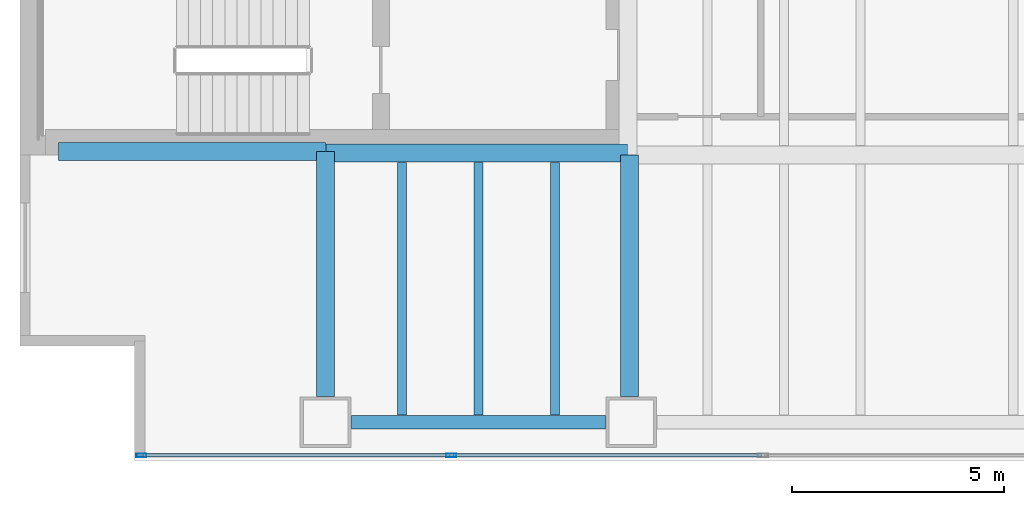
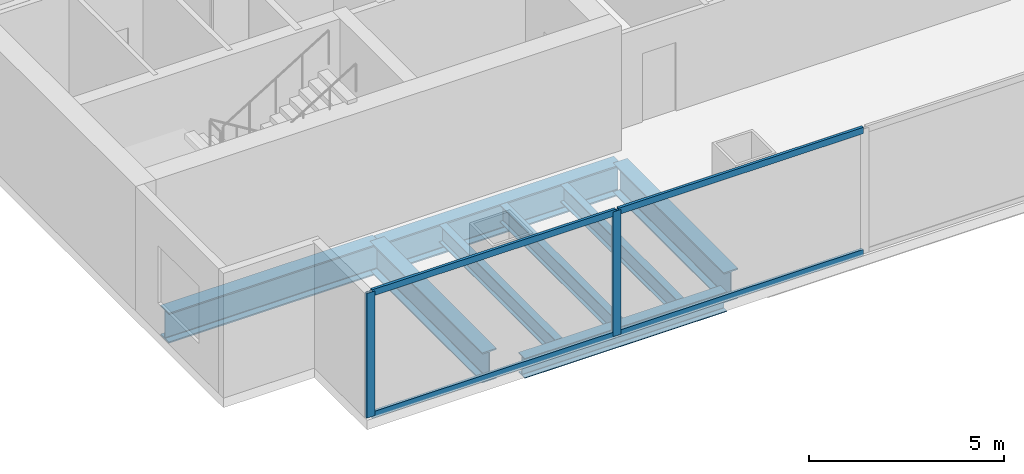
# One storey, part 2 of 29: 8 beams, 6 members, 1 element without a shape of its own.
"""IFC4 building model written with IfcOpenShell, lengths in metres."""

from ifc_helpers import new_model, si_unit, direction, frame, origin, origin_2d, place, context, subcontext, project, spatial, hollow_rectangle, i_section, extrude, material, material_profile, profile_set, type_object, element, aggregate, save


model = new_model("IFC4")

# Units and contexts
model_context = context("Model", 3, precision=1e-05, world=origin(), true_north=direction((0.0, 1.0)))
body_context = subcontext(model_context, "Body", "Model", "MODEL_VIEW")
ifc_project = project(units=[si_unit("LENGTHUNIT", "METRE"), si_unit("AREAUNIT", "SQUARE_METRE"), si_unit("VOLUMEUNIT", "CUBIC_METRE"), si_unit("PLANEANGLEUNIT", "RADIAN"), si_unit("MASSUNIT", "GRAM", prefix="KILO")], contexts=[model_context])

# Site, building, storey
site_placement = place(None, origin())
site = spatial("IfcSite", under=ifc_project, at=site_placement, CompositionType="ELEMENT")
building_placement = place(site_placement, origin())
building = spatial("IfcBuilding", under=site, at=building_placement, Name="Cobrela Telecom Tower", CompositionType="ELEMENT")
storey_placement = place(building_placement, frame((0.0, 0.0, 13.64990234375)))
storey = spatial("IfcBuildingStorey", under=building, at=storey_placement, Name="L03", CompositionType="ELEMENT", Elevation=13.64990234375)

# Beams
ifc_material_1 = material(Name="Steel ASTM A992 Grade 50", Category="steel")
ifc_material_profile_1 = material_profile(ifc_material_1, i_section(OverallWidth=0.424072265625, OverallDepth=0.947021484375, WebThickness=0.02392578125, FlangeThickness=0.042724609375, FilletRadius=0.02392578125, at=origin_2d()), Name="W36X302")
ifc_profile_set_1 = profile_set([ifc_material_profile_1], Name="Steel ASTM A992 Grade 50")
beam_type_1 = type_object("IfcBeamType", Name="BM-GIRD-01", PredefinedType="USERDEFINED", material=ifc_profile_set_1)
beam_1_placement = place(storey_placement, frame((0.905029296875, 7.280029296875, -0.7734375), z_axis=(1.0, 0.0, 0.0), x_axis=(0.0, 1.0, 0.0)))
element("IfcBeam", 1, at=beam_1_placement, inside=storey, type_object=beam_type_1, Name="L03 Primary Girder X10", ObjectType="GIRDER", PredefinedType="USERDEFINED", context=body_context, shape_type="SweptSolid", body=[
    extrude(i_section(OverallWidth=0.424072265625, OverallDepth=0.947021484375, WebThickness=0.02392578125, FlangeThickness=0.042724609375, FilletRadius=0.02392578125, at=origin_2d()), origin(), (0.0, 0.0, 1.0), 6.2900390625),
])
beam_2_placement = place(storey_placement, frame((7.205078125, 7.239990234375, -0.7734375), z_axis=(1.0, 0.0, 0.0), x_axis=(0.0, 1.0, 0.0)))
element("IfcBeam", 2, at=beam_2_placement, inside=storey, type_object=beam_type_1, Name="L03 Primary Girder X11", ObjectType="GIRDER", PredefinedType="USERDEFINED", context=body_context, shape_type="SweptSolid", body=[
    extrude(i_section(OverallWidth=0.424072265625, OverallDepth=0.947021484375, WebThickness=0.02392578125, FlangeThickness=0.042724609375, FilletRadius=0.02392578125, at=origin_2d()), origin(), (0.0, 0.0, 1.0), 7.10986328125),
])
beam_3_placement = place(storey_placement, frame((7.199951171875, 1.5048828125, -0.7734375), z_axis=(0.0, 1.0, 0.0), x_axis=(-1.0, 0.0, 0.0)))
element("IfcBeam", 3, at=beam_3_placement, inside=storey, type_object=beam_type_1, Name="L03 Primary Girder Y57", ObjectType="GIRDER", PredefinedType="USERDEFINED", context=body_context, shape_type="SweptSolid", body=[
    extrude(i_section(OverallWidth=0.424072265625, OverallDepth=0.947021484375, WebThickness=0.02392578125, FlangeThickness=0.042724609375, FilletRadius=0.02392578125, at=origin_2d()), origin(), (0.0, 0.0, 1.0), 5.77001953125),
])
beam_4_placement = place(storey_placement, frame((14.360107421875, 1.5048828125, -0.7734375), z_axis=(0.0, 1.0, 0.0), x_axis=(-1.0, 0.0, 0.0)))
element("IfcBeam", 4, at=beam_4_placement, inside=storey, type_object=beam_type_1, Name="L03 Primary Girder Y60", ObjectType="GIRDER", PredefinedType="USERDEFINED", context=body_context, shape_type="SweptSolid", body=[
    extrude(i_section(OverallWidth=0.424072265625, OverallDepth=0.947021484375, WebThickness=0.02392578125, FlangeThickness=0.042724609375, FilletRadius=0.02392578125, at=origin_2d()), origin(), (0.0, 0.0, 1.0), 5.690185546875),
])
ifc_material_profile_2 = material_profile(ifc_material_1, i_section(OverallWidth=0.212890625, OverallDepth=0.549072265625, WebThickness=0.0146484375, FlangeThickness=0.023681640625, FilletRadius=0.013916015625, at=origin_2d()), Name="W21X93")
ifc_profile_set_2 = profile_set([ifc_material_profile_2], Name="Steel ASTM A992 Grade 50")
beam_type_2 = type_object("IfcBeamType", Name="BM-JOIST-01", PredefinedType="JOIST", material=ifc_profile_set_2)
for number, where, z_axis, x_axis, name in (
    (5, (9.0, 1.069091796875, -0.574462890625), (0.0, 1.0, 0.0), (-1.0, 0.0, 0.0), "L03 Secondary Composite Floor Beam J04"),
    (6, (10.800048828125, 1.069091796875, -0.574462890625), (0.0, 1.0, 0.0), (-1.0, 0.0, 0.0), "L03 Secondary Composite Floor Beam J07"),
    (7, (12.60009765625, 1.069091796875, -0.574462890625), (0.0, 1.0, 0.0), (-1.0, 0.0, 0.0), "L03 Secondary Composite Floor Beam J10"),
):
    element("IfcBeam", number, at=place(storey_placement, frame(where, z_axis=z_axis, x_axis=x_axis)), inside=storey, type_object=beam_type_2, Name=name, PredefinedType="JOIST", context=body_context, shape_type="SweptSolid", body=[
        extrude(i_section(OverallWidth=0.212890625, OverallDepth=0.549072265625, WebThickness=0.0146484375, FlangeThickness=0.023681640625, FilletRadius=0.013916015625, at=origin_2d()), origin(), (0.0, 0.0, 1.0), 5.953857421875),
    ])
ifc_material_profile_3 = material_profile(ifc_material_1, i_section(OverallWidth=0.327880859375, OverallDepth=0.6220703125, WebThickness=0.015380859375, FlangeThickness=0.0244140625, FilletRadius=0.014892578125, at=origin_2d()), Name="W24X131")
ifc_profile_set_3 = profile_set([ifc_material_profile_3], Name="Steel ASTM A992 Grade 50")
beam_type_3 = type_object("IfcBeamType", Name="BM-SPAND-01", PredefinedType="SPANDREL", material=ifc_profile_set_3)
beam_5_placement = place(storey_placement, frame((7.804931640625, 0.89990234375, -0.61083984375), z_axis=(1.0, 0.0, 0.0), x_axis=(0.0, 1.0, 0.0)))
element("IfcBeam", 8, at=beam_5_placement, inside=storey, type_object=beam_type_3, Name="L03 Perimeter Spandrel X01", PredefinedType="SPANDREL", context=body_context, shape_type="SweptSolid", body=[
    extrude(i_section(OverallWidth=0.327880859375, OverallDepth=0.6220703125, WebThickness=0.015380859375, FlangeThickness=0.0244140625, FilletRadius=0.014892578125, at=origin_2d()), origin(), (0.0, 0.0, 1.0), 5.989990234375),
])

# Curtain wall, members
ifc_material_2 = material(Name="Anodized Bronze Aluminium 6063-T6", Category="aluminium")
curtain_wall_type = type_object("IfcCurtainWallType", Name="CW-SYS-CONC", PredefinedType="USERDEFINED", material=ifc_material_2)
curtain_wall_placement = place(storey_placement, origin())
curtain_wall = element("IfcCurtainWall", 9, at=curtain_wall_placement, inside=storey, type_object=curtain_wall_type, Name="L03 Unitised Bronze Curtain Wall 17", ObjectType="UNITISED CURTAIN WALL", PredefinedType="USERDEFINED")
ifc_material_profile_4 = material_profile(ifc_material_2, hollow_rectangle(XDim=0.080078125, YDim=0.239990234375, WallThickness=0.0048828125, at=origin_2d()), Name="ALU 80x240x5")
ifc_profile_set_4 = profile_set([ifc_material_profile_4], Name="Anodized Bronze Aluminium 6063-T6")
member_type_1 = type_object("IfcMemberType", Name="CW-SYS-CONC-MUL", PredefinedType="MULLION", material=ifc_profile_set_4)
member_1_placement = place(storey_placement, frame((10.161865234375, 0.1201171875, 0.0), z_axis=(0.0, 0.0, 1.0), x_axis=(0.0, -1.0, 0.0)))
member_1 = element("IfcMember", 10, at=member_1_placement, type_object=member_type_1, Name="CW-CONC mullion 11", PredefinedType="MULLION", context=body_context, shape_type="SweptSolid", body=[
    extrude(hollow_rectangle(XDim=0.080078125, YDim=0.239990234375, WallThickness=0.0048828125, at=origin_2d()), origin(), (0.0, 0.0, 1.0), 3.91015625),
])
member_2_placement = place(storey_placement, frame((2.860107421875, 0.1201171875, 0.0), z_axis=(0.0, 0.0, 1.0), x_axis=(0.0, -1.0, 0.0)))
member_2 = element("IfcMember", 11, at=member_2_placement, type_object=member_type_1, Name="CW-CONC mullion 12", PredefinedType="MULLION", context=body_context, shape_type="SweptSolid", body=[
    extrude(hollow_rectangle(XDim=0.080078125, YDim=0.239990234375, WallThickness=0.0048828125, at=origin_2d()), origin(), (0.0, 0.0, 1.0), 3.91015625),
])
ifc_material_profile_5 = material_profile(ifc_material_2, hollow_rectangle(XDim=0.080078125, YDim=0.199951171875, WallThickness=0.00390625, at=origin_2d()), Name="ALU 80x200x4")
ifc_profile_set_5 = profile_set([ifc_material_profile_5], Name="Anodized Bronze Aluminium 6063-T6")
member_type_2 = type_object("IfcMemberType", Name="CW-SYS-CONC-TRN", PredefinedType="USERDEFINED", material=ifc_profile_set_5)
member_3_placement = place(storey_placement, frame((17.463623046875, 0.1201171875, 0.0400390625), z_axis=(-1.0, 0.0, 0.0), x_axis=(0.0, -1.0, 0.0)))
member_3 = element("IfcMember", 12, at=member_3_placement, type_object=member_type_2, Name="CW-CONC transom 10.1", ObjectType="TRANSOM", PredefinedType="USERDEFINED", context=body_context, shape_type="SweptSolid", body=[
    extrude(hollow_rectangle(XDim=0.080078125, YDim=0.199951171875, WallThickness=0.00390625, at=origin_2d()), origin(), (0.0, 0.0, 1.0), 7.26171875),
])
member_4_placement = place(storey_placement, frame((17.463623046875, 0.1201171875, 3.8701171875), z_axis=(-1.0, 0.0, 0.0), x_axis=(0.0, -1.0, 0.0)))
member_4 = element("IfcMember", 13, at=member_4_placement, type_object=member_type_2, Name="CW-CONC transom 10.2", ObjectType="TRANSOM", PredefinedType="USERDEFINED", context=body_context, shape_type="SweptSolid", body=[
    extrude(hollow_rectangle(XDim=0.080078125, YDim=0.199951171875, WallThickness=0.00390625, at=origin_2d()), origin(), (0.0, 0.0, 1.0), 7.26171875),
])
member_5_placement = place(storey_placement, frame((10.121826171875, 0.1201171875, 0.0400390625), z_axis=(-1.0, 0.0, 0.0), x_axis=(0.0, -1.0, 0.0)))
member_5 = element("IfcMember", 14, at=member_5_placement, type_object=member_type_2, Name="CW-CONC transom 11.1", ObjectType="TRANSOM", PredefinedType="USERDEFINED", context=body_context, shape_type="SweptSolid", body=[
    extrude(hollow_rectangle(XDim=0.080078125, YDim=0.199951171875, WallThickness=0.00390625, at=origin_2d()), origin(), (0.0, 0.0, 1.0), 7.221923828125),
])
member_6_placement = place(storey_placement, frame((10.121826171875, 0.1201171875, 3.8701171875), z_axis=(-1.0, 0.0, 0.0), x_axis=(0.0, -1.0, 0.0)))
member_6 = element("IfcMember", 15, at=member_6_placement, type_object=member_type_2, Name="CW-CONC transom 11.2", ObjectType="TRANSOM", PredefinedType="USERDEFINED", context=body_context, shape_type="SweptSolid", body=[
    extrude(hollow_rectangle(XDim=0.080078125, YDim=0.199951171875, WallThickness=0.00390625, at=origin_2d()), origin(), (0.0, 0.0, 1.0), 7.221923828125),
])
aggregate(curtain_wall, [member_1, member_2, member_3, member_4, member_5, member_6])

save(model, "model.ifc")
